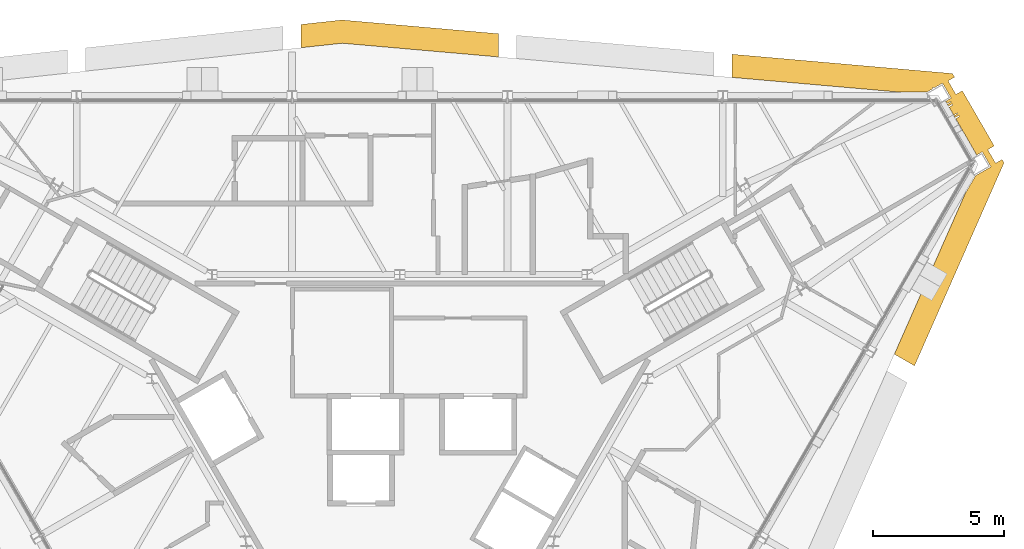
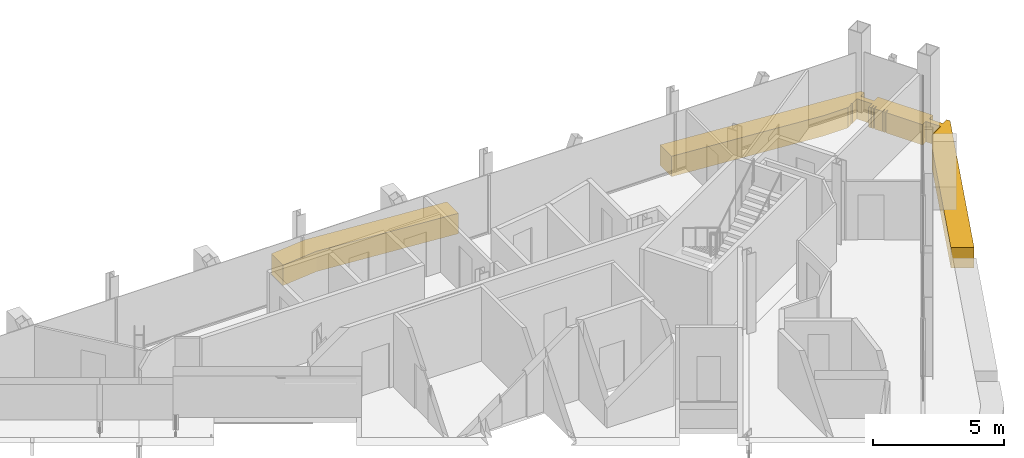
# One storey, part 14 of 14: 2 coverings.
"""IFC4 building model written with IfcOpenShell, lengths in metres."""

from ifc_helpers import new_model, si_unit, direction, frame, origin, place, context, subcontext, project, spatial, polyline, outline, extrude, material, layer, layer_set, type_object, element, save


model = new_model("IFC4")

# Units and contexts
model_context = context("Model", 3, precision=1e-05, world=origin(), true_north=direction((0.0, 1.0)))
body_context = subcontext(model_context, "Body", "Model", "MODEL_VIEW")
ifc_project = project(units=[si_unit("LENGTHUNIT", "METRE"), si_unit("AREAUNIT", "SQUARE_METRE"), si_unit("VOLUMEUNIT", "CUBIC_METRE"), si_unit("PLANEANGLEUNIT", "RADIAN"), si_unit("MASSUNIT", "GRAM", prefix="KILO")], contexts=[model_context])

# Site, building, storey
site_placement = place(None, origin())
site = spatial("IfcSite", under=ifc_project, at=site_placement, CompositionType="ELEMENT")
building_placement = place(site_placement, origin())
building = spatial("IfcBuilding", under=site, at=building_placement, Name="Verrane Prism Tower", CompositionType="ELEMENT")
storey_placement = place(building_placement, frame((0.0, 0.0, 293.60009765625)))
storey = spatial("IfcBuildingStorey", under=building, at=storey_placement, Name="L74", CompositionType="ELEMENT", Elevation=293.60009765625)

# Coverings
ifc_material = material(Name="Warm limestone cladding", Category="masonry")
ifc_layer = layer(ifc_material, 0.449951171875)
ifc_layer_set = layer_set([ifc_layer], Name="Stone spandrel band 450")
covering_type = type_object("IfcCoveringType", Name="Stone spandrel band 450", PredefinedType="CLADDING", material=ifc_layer_set)
covering_1_placement = place(storey_placement, frame((0.0, 0.0, -0.9501953125)))
element("IfcCovering", 1, at=covering_1_placement, inside=storey, type_object=covering_type, Name="Stone spandrel band L74 part 1", PredefinedType="CLADDING", context=body_context, shape_type="SweptSolid", body=[
    extrude(outline(polyline([(12.712646484375, 15.23046875), (12.712646484375, 14.34228515625), (19.084228515625, 13.783447265625), (20.1708984375, 13.783447265625), (20.38427734375, 13.906494140625), (20.38427734375, 13.949951171875), (20.459716796875, 13.949951171875), (20.76416015625, 14.125732421875), (21.093994140625, 13.55419921875), (20.8837890625, 13.432861328125), (20.93701171875, 13.3408203125), (21.077880859375, 13.42236328125), (21.0927734375, 13.39697265625), (20.95166015625, 13.315185546875), (20.9921875, 13.2451171875), (21.13330078125, 13.32666015625), (21.15673828125, 13.2861328125), (21.015625, 13.20458984375), (21.190185546875, 12.90234375), (21.331298828125, 12.984130859375), (21.34619140625, 12.95849609375), (21.204833984375, 12.876953125), (21.245361328125, 12.806640625), (21.38671875, 12.888427734375), (21.41015625, 12.847900390625), (21.268798828125, 12.76611328125), (22.07275390625, 11.373779296875), (22.2841796875, 11.495849609375), (22.614013671875, 10.92431640625), (22.027099609375, 10.585205078125), (21.625244140625, 9.889404296875), (18.920166015625, 3.755859375), (19.69091796875, 3.310791015625), (23.1142578125, 11.07275390625), (23.039794921875, 11.20166015625), (22.793212890625, 11.05908203125), (22.4931640625, 11.578857421875), (22.73974609375, 11.72119140625), (21.520751953125, 13.83251953125), (21.274169921875, 13.690185546875), (20.97412109375, 14.209716796875), (21.220703125, 14.352294921875), (21.140380859375, 14.4912109375), (12.712646484375, 15.23046875)])), origin(), (0.0, 0.0, 1.0), 0.9501953125),
])
covering_2_placement = place(storey_placement, frame((0.0, 0.0, -0.9501953125)))
element("IfcCovering", 2, at=covering_2_placement, inside=storey, type_object=covering_type, Name="Stone spandrel band L74 part 11", PredefinedType="CLADDING", context=body_context, shape_type="SweptSolid", body=[
    extrude(outline(polyline([(-3.77099609375, 16.369140625), (-3.77099609375, 15.47900390625), (-2.19775390625, 15.64990234375), (3.77099609375, 15.12646484375), (3.77099609375, 16.0146484375), (-2.20703125, 16.5390625), (-3.77099609375, 16.369140625)])), origin(), (0.0, 0.0, 1.0), 0.9501953125),
])

save(model, "model.ifc")
